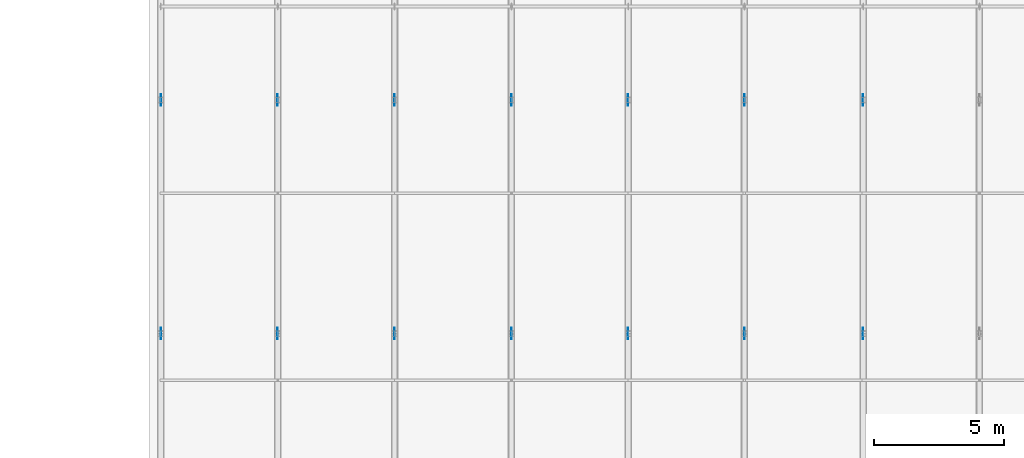
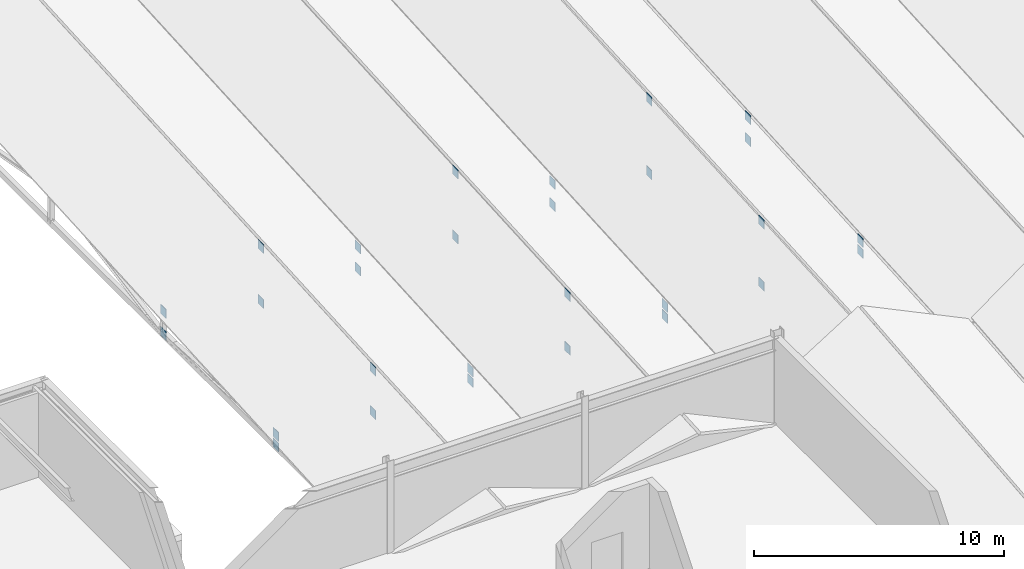
# One storey, part 111 of 142: 28 plates.
"""IFC4 building model written with IfcOpenShell, lengths in metres."""

from ifc_helpers import new_model, si_unit, direction, frame, origin, origin_2d, place, context, subcontext, project, spatial, rectangle, extrude, material, layer, layer_set, type_object, element, save


model = new_model("IFC4")

# Units and contexts
model_context = context("Model", 3, precision=1e-05, world=origin(), true_north=direction((0.0, 1.0)))
body_context = subcontext(model_context, "Body", "Model", "MODEL_VIEW")
ifc_project = project(units=[si_unit("LENGTHUNIT", "METRE"), si_unit("AREAUNIT", "SQUARE_METRE"), si_unit("VOLUMEUNIT", "CUBIC_METRE"), si_unit("PLANEANGLEUNIT", "RADIAN"), si_unit("MASSUNIT", "GRAM", prefix="KILO")], contexts=[model_context])

# Site, building, storey
site_placement = place(None, origin())
site = spatial("IfcSite", under=ifc_project, at=site_placement, CompositionType="ELEMENT")
building_placement = place(site_placement, origin())
building = spatial("IfcBuilding", under=site, at=building_placement, Name="Montelvaro Courts of Justice", CompositionType="ELEMENT")
storey_placement = place(building_placement, frame((0.0, 0.0, 14.39990234375)))
storey = spatial("IfcBuildingStorey", under=building, at=storey_placement, Name="L03", CompositionType="ELEMENT", Elevation=14.39990234375)

# Plates
ifc_material = material(Name="Steel S355", Category="steel")
ifc_layer = layer(ifc_material, 0.02001953125)
ifc_layer_set = layer_set([ifc_layer], Name="Steel S355")
plate_type = type_object("IfcPlateType", Name="GussetPlate_20", PredefinedType="USERDEFINED", material=ifc_layer_set)
for number, where, z_axis, x_axis, name in (
    (1, (54.0, 51.0, -0.519775390625), (0.0, 0.0, 1.0), (1.0, 0.0, 0.0), "Roof Truss Gusset Plate GP-01 ROOF-PASSAGE-VTR01-1B"),
    (2, (54.0, 51.0, 0.010009765625), (0.0, 0.0, 1.0), (1.0, 0.0, 0.0), "Roof Truss Gusset Plate GP-01 ROOF-PASSAGE-VTR01-1T"),
    (3, (54.0, 60.0, -0.519775390625), (0.0, 0.0, 1.0), (1.0, 0.0, 0.0), "Roof Truss Gusset Plate GP-01 ROOF-PASSAGE-VTR01-2B"),
    (4, (54.0, 60.0, 0.56005859375), (0.0, 0.0, 1.0), (1.0, 0.0, 0.0), "Roof Truss Gusset Plate GP-01 ROOF-PASSAGE-VTR01-2T"),
    (5, (63.0, 51.0, -0.519775390625), (0.0, 0.0, 1.0), (1.0, 0.0, 0.0), "Roof Truss Gusset Plate GP-01 ROOF-PASSAGE-VTR02-1B"),
    (6, (63.0, 51.0, 0.010009765625), (0.0, 0.0, 1.0), (1.0, 0.0, 0.0), "Roof Truss Gusset Plate GP-01 ROOF-PASSAGE-VTR02-1T"),
    (7, (63.0, 60.0, -0.519775390625), (0.0, 0.0, 1.0), (1.0, 0.0, 0.0), "Roof Truss Gusset Plate GP-01 ROOF-PASSAGE-VTR02-2B"),
    (8, (63.0, 60.0, 0.56005859375), (0.0, 0.0, 1.0), (1.0, 0.0, 0.0), "Roof Truss Gusset Plate GP-01 ROOF-PASSAGE-VTR02-2T"),
    (9, (72.0, 51.0, -0.519775390625), (0.0, 0.0, 1.0), (1.0, 0.0, 0.0), "Roof Truss Gusset Plate GP-01 ROOF-PASSAGE-VTR03-1B"),
    (10, (72.0, 51.0, 0.010009765625), (0.0, 0.0, 1.0), (1.0, 0.0, 0.0), "Roof Truss Gusset Plate GP-01 ROOF-PASSAGE-VTR03-1T"),
    (11, (72.0, 60.0, -0.519775390625), (0.0, 0.0, 1.0), (1.0, 0.0, 0.0), "Roof Truss Gusset Plate GP-01 ROOF-PASSAGE-VTR03-2B"),
    (12, (72.0, 60.0, 0.56005859375), (0.0, 0.0, 1.0), (1.0, 0.0, 0.0), "Roof Truss Gusset Plate GP-01 ROOF-PASSAGE-VTR03-2T"),
    (13, (81.050048828125, 51.0, -0.519775390625), (0.0, 0.0, 1.0), (1.0, 0.0, 0.0), "Roof Truss Gusset Plate GP-01 ROOF-PASSAGE-VTR04-1B"),
    (14, (81.050048828125, 51.0, 0.010009765625), (0.0, 0.0, 1.0), (1.0, 0.0, 0.0), "Roof Truss Gusset Plate GP-01 ROOF-PASSAGE-VTR04-1T"),
    (15, (81.050048828125, 60.0, -0.519775390625), (0.0, 0.0, 1.0), (1.0, 0.0, 0.0), "Roof Truss Gusset Plate GP-01 ROOF-PASSAGE-VTR04-2B"),
    (16, (81.050048828125, 60.0, 0.56005859375), (0.0, 0.0, 1.0), (1.0, 0.0, 0.0), "Roof Truss Gusset Plate GP-01 ROOF-PASSAGE-VTR04-2T"),
    (17, (58.5, 51.0, -0.519775390625), (0.0, 0.0, 1.0), (1.0, 0.0, 0.0), "Roof Truss Gusset Plate GP-01 ROOF-PASSAGE-RTR01-1B"),
    (18, (58.5, 51.0, 1.610107421875), (0.0, 0.0, 1.0), (1.0, 0.0, 0.0), "Roof Truss Gusset Plate GP-01 ROOF-PASSAGE-RTR01-1T"),
    (19, (58.5, 60.0, -0.519775390625), (0.0, 0.0, 1.0), (1.0, 0.0, 0.0), "Roof Truss Gusset Plate GP-01 ROOF-PASSAGE-RTR01-2B"),
    (20, (58.5, 60.0, 2.16015625), (0.0, 0.0, 1.0), (1.0, 0.0, 0.0), "Roof Truss Gusset Plate GP-01 ROOF-PASSAGE-RTR01-2T"),
    (21, (67.5, 51.0, -0.519775390625), (0.0, 0.0, 1.0), (1.0, 0.0, 0.0), "Roof Truss Gusset Plate GP-01 ROOF-PASSAGE-RTR02-1B"),
    (22, (67.5, 51.0, 2.110107421875), (0.0, 0.0, 1.0), (1.0, 0.0, 0.0), "Roof Truss Gusset Plate GP-01 ROOF-PASSAGE-RTR02-1T"),
    (23, (67.5, 60.0, -0.519775390625), (0.0, 0.0, 1.0), (1.0, 0.0, 0.0), "Roof Truss Gusset Plate GP-01 ROOF-PASSAGE-RTR02-2B"),
    (24, (67.5, 60.0, 2.66015625), (0.0, 0.0, 1.0), (1.0, 0.0, 0.0), "Roof Truss Gusset Plate GP-01 ROOF-PASSAGE-RTR02-2T"),
    (25, (76.47509765625, 51.0, -0.519775390625), (0.0, 0.0, 1.0), (1.0, 0.0, 0.0), "Roof Truss Gusset Plate GP-01 ROOF-PASSAGE-RTR03-1B"),
    (26, (76.47509765625, 51.0, 2.510009765625), (0.0, 0.0, 1.0), (1.0, 0.0, 0.0), "Roof Truss Gusset Plate GP-01 ROOF-PASSAGE-RTR03-1T"),
    (27, (76.47509765625, 60.0, -0.519775390625), (0.0, 0.0, 1.0), (1.0, 0.0, 0.0), "Roof Truss Gusset Plate GP-01 ROOF-PASSAGE-RTR03-2B"),
    (28, (76.47509765625, 60.0, 3.06005859375), (0.0, 0.0, 1.0), (1.0, 0.0, 0.0), "Roof Truss Gusset Plate GP-01 ROOF-PASSAGE-RTR03-2T"),
):
    element("IfcPlate", number, at=place(storey_placement, frame(where, z_axis=z_axis, x_axis=x_axis)), inside=storey, type_object=plate_type, Name=name, ObjectType="GUSSET PLATE", PredefinedType="USERDEFINED", context=body_context, shape_type="SweptSolid", body=[
        extrude(rectangle(XDim=0.02001953125, YDim=0.43994140625, at=origin_2d()), origin(), (0.0, 0.0, 1.0), 0.43994140625),
    ])

save(model, "model.ifc")
